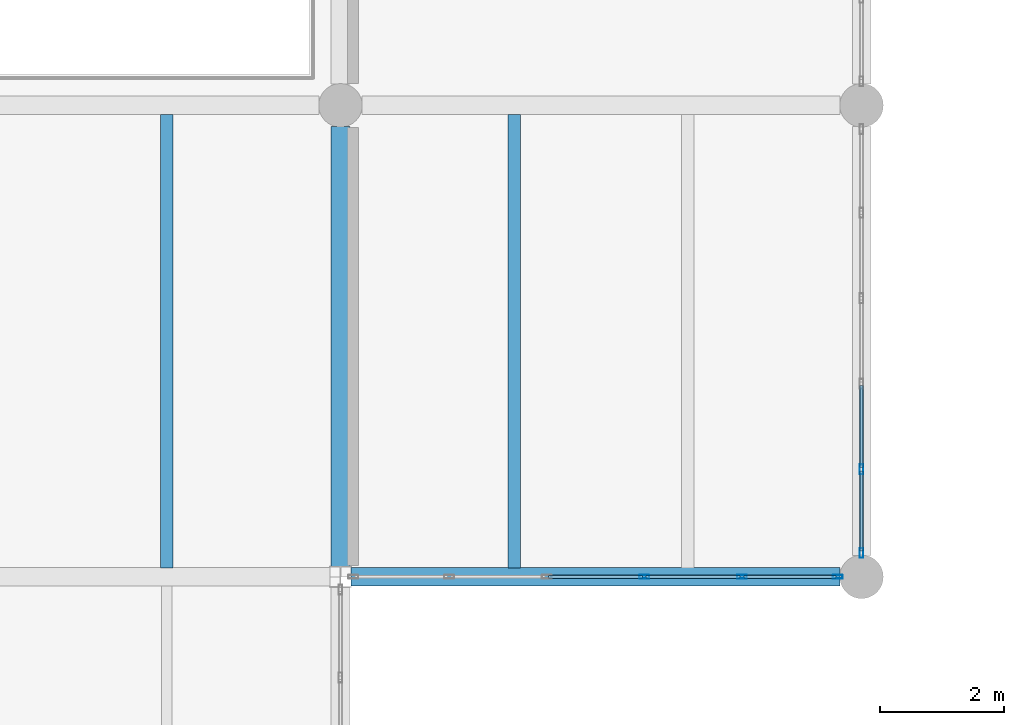
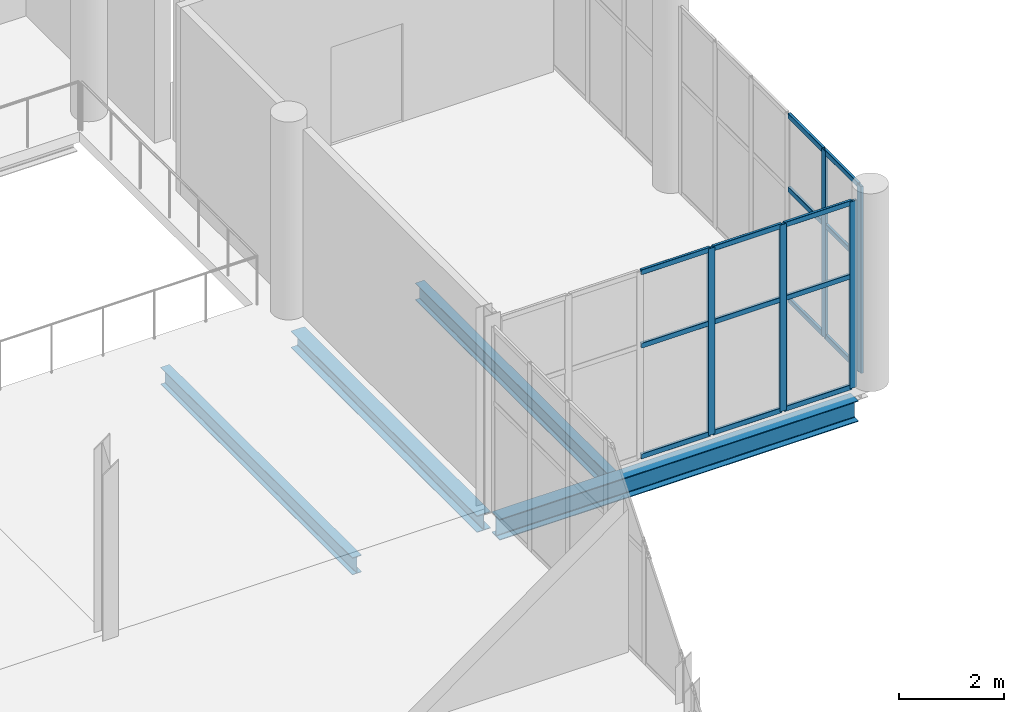
# One storey, part 17 of 74: 20 members, 4 beams, 2 elements without a shape of their own.
"""IFC4 building model written with IfcOpenShell, lengths in metres."""

from ifc_helpers import new_model, si_unit, direction, frame, origin, origin_2d, place, context, subcontext, project, spatial, hollow_rectangle, i_section, extrude, material, material_profile, profile_set, type_object, element, aggregate, save


model = new_model("IFC4")

# Units and contexts
model_context = context("Model", 3, precision=1e-05, world=origin(), true_north=direction((0.0, 1.0)))
body_context = subcontext(model_context, "Body", "Model", "MODEL_VIEW")
ifc_project = project(units=[si_unit("LENGTHUNIT", "METRE"), si_unit("AREAUNIT", "SQUARE_METRE"), si_unit("VOLUMEUNIT", "CUBIC_METRE"), si_unit("PLANEANGLEUNIT", "RADIAN"), si_unit("MASSUNIT", "GRAM", prefix="KILO")], contexts=[model_context])

# Site, building, storey
site_placement = place(None, origin())
site = spatial("IfcSite", under=ifc_project, at=site_placement, CompositionType="ELEMENT")
building_placement = place(site_placement, origin())
building = spatial("IfcBuilding", under=site, at=building_placement, Name="Shengluoqiao Park Theatre", CompositionType="ELEMENT")
storey_placement = place(building_placement, frame((0.0, 0.0, 14.60009765625)))
storey = spatial("IfcBuildingStorey", under=building, at=storey_placement, Name="L03", CompositionType="ELEMENT", Elevation=14.60009765625)

# Curtain wall, members
ifc_material_1 = material(Name="Aluminium 6063-T6", Category="aluminium")
curtain_wall_type_1 = type_object("IfcCurtainWallType", Name="ENV-CW-FOYER", PredefinedType="NOTDEFINED", material=ifc_material_1)
curtain_wall_1_placement = place(storey_placement, origin())
curtain_wall_1 = element("IfcCurtainWall", 1, at=curtain_wall_1_placement, inside=storey, type_object=curtain_wall_type_1, Name="L03 Curtain Wall CWX-L03-0217", PredefinedType="NOTDEFINED")
ifc_material_profile_1 = material_profile(ifc_material_1, hollow_rectangle(XDim=0.06005859375, YDim=0.159912109375, WallThickness=0.00390625, InnerFilletRadius=0.00390625, OuterFilletRadius=0.008056640625, at=origin_2d()), Name="ALU MULLION 160x60x4")
ifc_profile_set_1 = profile_set([ifc_material_profile_1], Name="Aluminium 6063-T6")
member_type_1 = type_object("IfcMemberType", Name="ENV-MUL-160", PredefinedType="MULLION", material=ifc_profile_set_1)
member_1_placement = place(storey_placement, frame((40.898681640625, 53.199951171875, 0.0), z_axis=(0.0, 0.0, 1.0), x_axis=(0.0, 1.0, 0.0)))
member_1 = element("IfcMember", 2, at=member_1_placement, type_object=member_type_1, Name="CW-01 mullion 4", PredefinedType="MULLION", context=body_context, shape_type="SweptSolid", body=[
    extrude(hollow_rectangle(XDim=0.06005859375, YDim=0.159912109375, WallThickness=0.00390625, InnerFilletRadius=0.00390625, OuterFilletRadius=0.008056640625, at=origin_2d()), origin(), (0.0, 0.0, 1.0), 4.33984375),
])
member_2_placement = place(storey_placement, frame((42.472412109375, 53.199951171875, 0.0), z_axis=(0.0, 0.0, 1.0), x_axis=(0.0, 1.0, 0.0)))
member_2 = element("IfcMember", 3, at=member_2_placement, type_object=member_type_1, Name="CW-01 mullion 5", PredefinedType="MULLION", context=body_context, shape_type="SweptSolid", body=[
    extrude(hollow_rectangle(XDim=0.06005859375, YDim=0.159912109375, WallThickness=0.00390625, InnerFilletRadius=0.00390625, OuterFilletRadius=0.008056640625, at=origin_2d()), origin(), (0.0, 0.0, 1.0), 4.33984375),
])
member_3_placement = place(storey_placement, frame((44.01611328125, 53.199951171875, 0.0), z_axis=(0.0, 0.0, 1.0), x_axis=(0.0, 1.0, 0.0)))
member_3 = element("IfcMember", 4, at=member_3_placement, type_object=member_type_1, Name="CW-01 mullion 6", PredefinedType="MULLION", context=body_context, shape_type="SweptSolid", body=[
    extrude(hollow_rectangle(XDim=0.06005859375, YDim=0.159912109375, WallThickness=0.00390625, InnerFilletRadius=0.00390625, OuterFilletRadius=0.008056640625, at=origin_2d()), origin(), (0.0, 0.0, 1.0), 4.33984375),
])

curtain_wall_type_2 = type_object("IfcCurtainWallType", Name="ENV-CW-COURT", PredefinedType="NOTDEFINED", material=ifc_material_1)
curtain_wall_2_placement = place(storey_placement, origin())
curtain_wall_2 = element("IfcCurtainWall", 5, at=curtain_wall_2_placement, inside=storey, type_object=curtain_wall_type_2, Name="L03 Curtain Wall CWX-L03-0218", PredefinedType="NOTDEFINED")
member_4_placement = place(storey_placement, frame((44.39990234375, 53.583984375, 0.0), z_axis=(0.0, 0.0, 1.0), x_axis=(-1.0, 0.0, 0.0)))
member_4 = element("IfcMember", 6, at=member_4_placement, type_object=member_type_1, Name="CW-05 mullion 1", PredefinedType="MULLION", context=body_context, shape_type="SweptSolid", body=[
    extrude(hollow_rectangle(XDim=0.06005859375, YDim=0.159912109375, WallThickness=0.00390625, InnerFilletRadius=0.00390625, OuterFilletRadius=0.008056640625, at=origin_2d()), origin(), (0.0, 0.0, 1.0), 4.33984375),
])
member_5_placement = place(storey_placement, frame((44.39990234375, 54.932373046875, 0.0), z_axis=(0.0, 0.0, 1.0), x_axis=(-1.0, 0.0, 0.0)))
member_5 = element("IfcMember", 7, at=member_5_placement, type_object=member_type_1, Name="CW-05 mullion 2", PredefinedType="MULLION", context=body_context, shape_type="SweptSolid", body=[
    extrude(hollow_rectangle(XDim=0.06005859375, YDim=0.159912109375, WallThickness=0.00390625, InnerFilletRadius=0.00390625, OuterFilletRadius=0.008056640625, at=origin_2d()), origin(), (0.0, 0.0, 1.0), 4.33984375),
])

# Member
ifc_material_profile_2 = material_profile(ifc_material_1, hollow_rectangle(XDim=0.06005859375, YDim=0.1201171875, WallThickness=0.00390625, InnerFilletRadius=0.00390625, OuterFilletRadius=0.008056640625, at=origin_2d()), Name="ALU TRANSOM 120x60x4")
ifc_profile_set_2 = profile_set([ifc_material_profile_2], Name="Aluminium 6063-T6")
member_type_2 = type_object("IfcMemberType", Name="ENV-TRN-120", PredefinedType="USERDEFINED", material=ifc_profile_set_2)
member_6_placement = place(storey_placement, frame((39.355224609375, 53.199951171875, 0.02978515625), z_axis=(1.0, 0.0, 0.0), x_axis=(0.0, 1.0, 0.0)))
member_6 = element("IfcMember", 8, at=member_6_placement, type_object=member_type_2, Name="CW-01 transom 3.1", ObjectType="TRANSOM", PredefinedType="USERDEFINED", context=body_context, shape_type="SweptSolid", body=[
    extrude(hollow_rectangle(XDim=0.06005859375, YDim=0.1201171875, WallThickness=0.00390625, InnerFilletRadius=0.00390625, OuterFilletRadius=0.008056640625, at=origin_2d()), origin(), (0.0, 0.0, 1.0), 1.513671875),
])

member_7_placement = place(storey_placement, frame((39.355224609375, 53.199951171875, 2.60400390625), z_axis=(1.0, 0.0, 0.0), x_axis=(0.0, 1.0, 0.0)))
member_7 = element("IfcMember", 9, at=member_7_placement, type_object=member_type_2, Name="CW-01 transom 3.2", ObjectType="TRANSOM", PredefinedType="USERDEFINED", context=body_context, shape_type="SweptSolid", body=[
    extrude(hollow_rectangle(XDim=0.06005859375, YDim=0.1201171875, WallThickness=0.00390625, InnerFilletRadius=0.00390625, OuterFilletRadius=0.008056640625, at=origin_2d()), origin(), (0.0, 0.0, 1.0), 1.513671875),
])

member_8_placement = place(storey_placement, frame((39.355224609375, 53.199951171875, 4.309814453125), z_axis=(1.0, 0.0, 0.0), x_axis=(0.0, 1.0, 0.0)))
member_8 = element("IfcMember", 10, at=member_8_placement, type_object=member_type_2, Name="CW-01 transom 3.3", ObjectType="TRANSOM", PredefinedType="USERDEFINED", context=body_context, shape_type="SweptSolid", body=[
    extrude(hollow_rectangle(XDim=0.06005859375, YDim=0.1201171875, WallThickness=0.00390625, InnerFilletRadius=0.00390625, OuterFilletRadius=0.008056640625, at=origin_2d()), origin(), (0.0, 0.0, 1.0), 1.513671875),
])

member_9_placement = place(storey_placement, frame((40.9287109375, 53.199951171875, 0.02978515625), z_axis=(1.0, 0.0, 0.0), x_axis=(0.0, 1.0, 0.0)))
member_9 = element("IfcMember", 11, at=member_9_placement, type_object=member_type_2, Name="CW-01 transom 4.1", ObjectType="TRANSOM", PredefinedType="USERDEFINED", context=body_context, shape_type="SweptSolid", body=[
    extrude(hollow_rectangle(XDim=0.06005859375, YDim=0.1201171875, WallThickness=0.00390625, InnerFilletRadius=0.00390625, OuterFilletRadius=0.008056640625, at=origin_2d()), origin(), (0.0, 0.0, 1.0), 1.513671875),
])

member_10_placement = place(storey_placement, frame((40.9287109375, 53.199951171875, 2.60400390625), z_axis=(1.0, 0.0, 0.0), x_axis=(0.0, 1.0, 0.0)))
member_10 = element("IfcMember", 12, at=member_10_placement, type_object=member_type_2, Name="CW-01 transom 4.2", ObjectType="TRANSOM", PredefinedType="USERDEFINED", context=body_context, shape_type="SweptSolid", body=[
    extrude(hollow_rectangle(XDim=0.06005859375, YDim=0.1201171875, WallThickness=0.00390625, InnerFilletRadius=0.00390625, OuterFilletRadius=0.008056640625, at=origin_2d()), origin(), (0.0, 0.0, 1.0), 1.513671875),
])

member_11_placement = place(storey_placement, frame((40.9287109375, 53.199951171875, 4.309814453125), z_axis=(1.0, 0.0, 0.0), x_axis=(0.0, 1.0, 0.0)))
member_11 = element("IfcMember", 13, at=member_11_placement, type_object=member_type_2, Name="CW-01 transom 4.3", ObjectType="TRANSOM", PredefinedType="USERDEFINED", context=body_context, shape_type="SweptSolid", body=[
    extrude(hollow_rectangle(XDim=0.06005859375, YDim=0.1201171875, WallThickness=0.00390625, InnerFilletRadius=0.00390625, OuterFilletRadius=0.008056640625, at=origin_2d()), origin(), (0.0, 0.0, 1.0), 1.513671875),
])

member_12_placement = place(storey_placement, frame((42.50244140625, 53.199951171875, 0.02978515625), z_axis=(1.0, 0.0, 0.0), x_axis=(0.0, 1.0, 0.0)))
member_12 = element("IfcMember", 14, at=member_12_placement, type_object=member_type_2, Name="CW-01 transom 5.1", ObjectType="TRANSOM", PredefinedType="USERDEFINED", context=body_context, shape_type="SweptSolid", body=[
    extrude(hollow_rectangle(XDim=0.06005859375, YDim=0.1201171875, WallThickness=0.00390625, InnerFilletRadius=0.00390625, OuterFilletRadius=0.008056640625, at=origin_2d()), origin(), (0.0, 0.0, 1.0), 1.483642578125),
])

member_13_placement = place(storey_placement, frame((42.50244140625, 53.199951171875, 2.60400390625), z_axis=(1.0, 0.0, 0.0), x_axis=(0.0, 1.0, 0.0)))
member_13 = element("IfcMember", 15, at=member_13_placement, type_object=member_type_2, Name="CW-01 transom 5.2", ObjectType="TRANSOM", PredefinedType="USERDEFINED", context=body_context, shape_type="SweptSolid", body=[
    extrude(hollow_rectangle(XDim=0.06005859375, YDim=0.1201171875, WallThickness=0.00390625, InnerFilletRadius=0.00390625, OuterFilletRadius=0.008056640625, at=origin_2d()), origin(), (0.0, 0.0, 1.0), 1.483642578125),
])

member_14_placement = place(storey_placement, frame((42.50244140625, 53.199951171875, 4.309814453125), z_axis=(1.0, 0.0, 0.0), x_axis=(0.0, 1.0, 0.0)))
member_14 = element("IfcMember", 16, at=member_14_placement, type_object=member_type_2, Name="CW-01 transom 5.3", ObjectType="TRANSOM", PredefinedType="USERDEFINED", context=body_context, shape_type="SweptSolid", body=[
    extrude(hollow_rectangle(XDim=0.06005859375, YDim=0.1201171875, WallThickness=0.00390625, InnerFilletRadius=0.00390625, OuterFilletRadius=0.008056640625, at=origin_2d()), origin(), (0.0, 0.0, 1.0), 1.483642578125),
])

aggregate(curtain_wall_1, [member_1, member_2, member_3, member_6, member_7, member_8, member_9, member_10, member_11, member_12, member_13, member_14])

member_15_placement = place(storey_placement, frame((44.39990234375, 53.614013671875, 0.02978515625), z_axis=(0.0, 1.0, 0.0), x_axis=(-1.0, 0.0, 0.0)))
member_15 = element("IfcMember", 17, at=member_15_placement, type_object=member_type_2, Name="CW-05 transom 1.1", ObjectType="TRANSOM", PredefinedType="USERDEFINED", context=body_context, shape_type="SweptSolid", body=[
    extrude(hollow_rectangle(XDim=0.06005859375, YDim=0.1201171875, WallThickness=0.00390625, InnerFilletRadius=0.00390625, OuterFilletRadius=0.008056640625, at=origin_2d()), origin(), (0.0, 0.0, 1.0), 1.288330078125),
])

member_16_placement = place(storey_placement, frame((44.39990234375, 53.614013671875, 2.60400390625), z_axis=(0.0, 1.0, 0.0), x_axis=(-1.0, 0.0, 0.0)))
member_16 = element("IfcMember", 18, at=member_16_placement, type_object=member_type_2, Name="CW-05 transom 1.2", ObjectType="TRANSOM", PredefinedType="USERDEFINED", context=body_context, shape_type="SweptSolid", body=[
    extrude(hollow_rectangle(XDim=0.06005859375, YDim=0.1201171875, WallThickness=0.00390625, InnerFilletRadius=0.00390625, OuterFilletRadius=0.008056640625, at=origin_2d()), origin(), (0.0, 0.0, 1.0), 1.288330078125),
])

member_17_placement = place(storey_placement, frame((44.39990234375, 53.614013671875, 4.309814453125), z_axis=(0.0, 1.0, 0.0), x_axis=(-1.0, 0.0, 0.0)))
member_17 = element("IfcMember", 19, at=member_17_placement, type_object=member_type_2, Name="CW-05 transom 1.3", ObjectType="TRANSOM", PredefinedType="USERDEFINED", context=body_context, shape_type="SweptSolid", body=[
    extrude(hollow_rectangle(XDim=0.06005859375, YDim=0.1201171875, WallThickness=0.00390625, InnerFilletRadius=0.00390625, OuterFilletRadius=0.008056640625, at=origin_2d()), origin(), (0.0, 0.0, 1.0), 1.288330078125),
])

member_18_placement = place(storey_placement, frame((44.39990234375, 54.96240234375, 0.02978515625), z_axis=(0.0, 1.0, 0.0), x_axis=(-1.0, 0.0, 0.0)))
member_18 = element("IfcMember", 20, at=member_18_placement, type_object=member_type_2, Name="CW-05 transom 2.1", ObjectType="TRANSOM", PredefinedType="USERDEFINED", context=body_context, shape_type="SweptSolid", body=[
    extrude(hollow_rectangle(XDim=0.06005859375, YDim=0.1201171875, WallThickness=0.00390625, InnerFilletRadius=0.00390625, OuterFilletRadius=0.008056640625, at=origin_2d()), origin(), (0.0, 0.0, 1.0), 1.318359375),
])

member_19_placement = place(storey_placement, frame((44.39990234375, 54.96240234375, 2.60400390625), z_axis=(0.0, 1.0, 0.0), x_axis=(-1.0, 0.0, 0.0)))
member_19 = element("IfcMember", 21, at=member_19_placement, type_object=member_type_2, Name="CW-05 transom 2.2", ObjectType="TRANSOM", PredefinedType="USERDEFINED", context=body_context, shape_type="SweptSolid", body=[
    extrude(hollow_rectangle(XDim=0.06005859375, YDim=0.1201171875, WallThickness=0.00390625, InnerFilletRadius=0.00390625, OuterFilletRadius=0.008056640625, at=origin_2d()), origin(), (0.0, 0.0, 1.0), 1.318359375),
])

member_20_placement = place(storey_placement, frame((44.39990234375, 54.96240234375, 4.309814453125), z_axis=(0.0, 1.0, 0.0), x_axis=(-1.0, 0.0, 0.0)))
member_20 = element("IfcMember", 22, at=member_20_placement, type_object=member_type_2, Name="CW-05 transom 2.3", ObjectType="TRANSOM", PredefinedType="USERDEFINED", context=body_context, shape_type="SweptSolid", body=[
    extrude(hollow_rectangle(XDim=0.06005859375, YDim=0.1201171875, WallThickness=0.00390625, InnerFilletRadius=0.00390625, OuterFilletRadius=0.008056640625, at=origin_2d()), origin(), (0.0, 0.0, 1.0), 1.318359375),
])

aggregate(curtain_wall_2, [member_4, member_5, member_15, member_16, member_17, member_18, member_19, member_20])

# Beams
ifc_material_2 = material(Name="Steel Q355", Category="steel")
ifc_material_profile_3 = material_profile(ifc_material_2, i_section(OverallWidth=0.300048828125, OverallDepth=0.389892578125, WebThickness=0.010009765625, FlangeThickness=0.01611328125, FilletRadius=0.01806640625, at=origin_2d()), Name="HM 390x300x10x16")
ifc_profile_set_3 = profile_set([ifc_material_profile_3], Name="Steel Q355")
beam_type_1 = type_object("IfcBeamType", Name="STR-BM-G-HM390", PredefinedType="BEAM", material=ifc_profile_set_3)
beam_1_placement = place(storey_placement, frame((36.0, 53.365966796875, -0.43505859375), z_axis=(0.0, 1.0, 0.0), x_axis=(-1.0, 0.0, 0.0)))
element("IfcBeam", 23, at=beam_1_placement, inside=storey, type_object=beam_type_1, Name="L03 Transverse Girder 01341", PredefinedType="BEAM", context=body_context, shape_type="SweptSolid", body=[
    extrude(i_section(OverallWidth=0.300048828125, OverallDepth=0.389892578125, WebThickness=0.010009765625, FlangeThickness=0.01611328125, FilletRadius=0.01806640625, at=origin_2d()), origin(), (0.0, 0.0, 1.0), 7.090087890625),
])
ifc_material_profile_4 = material_profile(ifc_material_2, i_section(OverallWidth=0.300048828125, OverallDepth=0.488037109375, WebThickness=0.010986328125, FlangeThickness=0.01806640625, FilletRadius=0.02197265625, at=origin_2d()), Name="HM 488x300x11x18")
ifc_profile_set_4 = profile_set([ifc_material_profile_4], Name="Steel Q355")
beam_type_2 = type_object("IfcBeamType", Name="STR-BM-G-HM488", PredefinedType="BEAM", material=ifc_profile_set_4)
beam_2_placement = place(storey_placement, frame((36.16796875, 53.199951171875, -0.484130859375), z_axis=(1.0, 0.0, 0.0), x_axis=(0.0, 1.0, 0.0)))
element("IfcBeam", 24, at=beam_2_placement, inside=storey, type_object=beam_type_2, Name="L03 Primary Girder 01335", PredefinedType="BEAM", context=body_context, shape_type="SweptSolid", body=[
    extrude(i_section(OverallWidth=0.300048828125, OverallDepth=0.488037109375, WebThickness=0.010986328125, FlangeThickness=0.01806640625, FilletRadius=0.02197265625, at=origin_2d()), origin(), (0.0, 0.0, 1.0), 7.887939453125),
])
ifc_material_profile_5 = material_profile(ifc_material_2, i_section(OverallWidth=0.199951171875, OverallDepth=0.39990234375, WebThickness=0.008056640625, FlangeThickness=0.012939453125, FilletRadius=0.01611328125, at=origin_2d()), Name="HN 400x200x8x13")
ifc_profile_set_5 = profile_set([ifc_material_profile_5], Name="Steel Q355")
beam_type_3 = type_object("IfcBeamType", Name="STR-BM-J-HN400", PredefinedType="JOIST", material=ifc_profile_set_5)
for number, where, z_axis, x_axis, name in (
    (25, (33.199951171875, 53.344970703125, -0.440185546875), (0.0, 1.0, 0.0), (-1.0, 0.0, 0.0), "L03 Composite Joist 01348"),
    (26, (38.800048828125, 53.344970703125, -0.440185546875), (0.0, 1.0, 0.0), (-1.0, 0.0, 0.0), "L03 Composite Joist 01351"),
):
    element("IfcBeam", number, at=place(storey_placement, frame(where, z_axis=z_axis, x_axis=x_axis)), inside=storey, type_object=beam_type_3, Name=name, PredefinedType="JOIST", context=body_context, shape_type="SweptSolid", body=[
        extrude(i_section(OverallWidth=0.199951171875, OverallDepth=0.39990234375, WebThickness=0.008056640625, FlangeThickness=0.012939453125, FilletRadius=0.01611328125, at=origin_2d()), origin(), (0.0, 0.0, 1.0), 7.31005859375),
    ])

save(model, "model.ifc")
